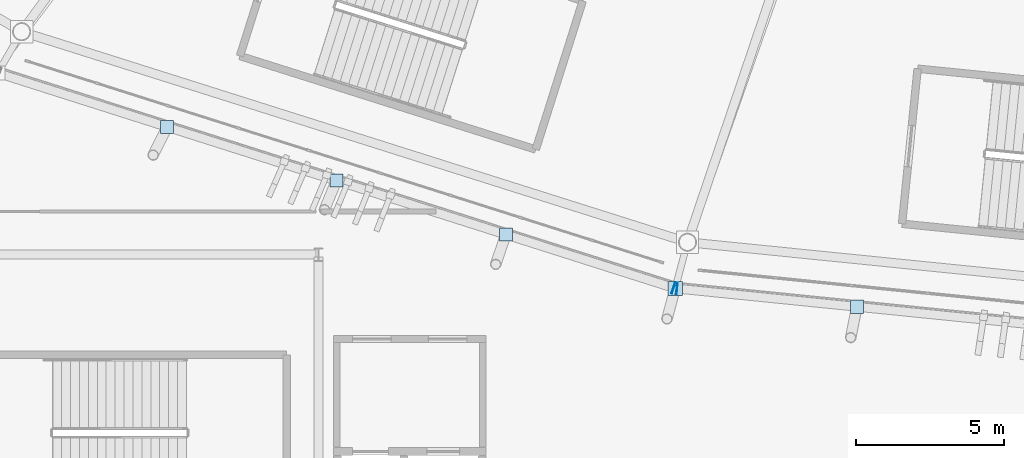
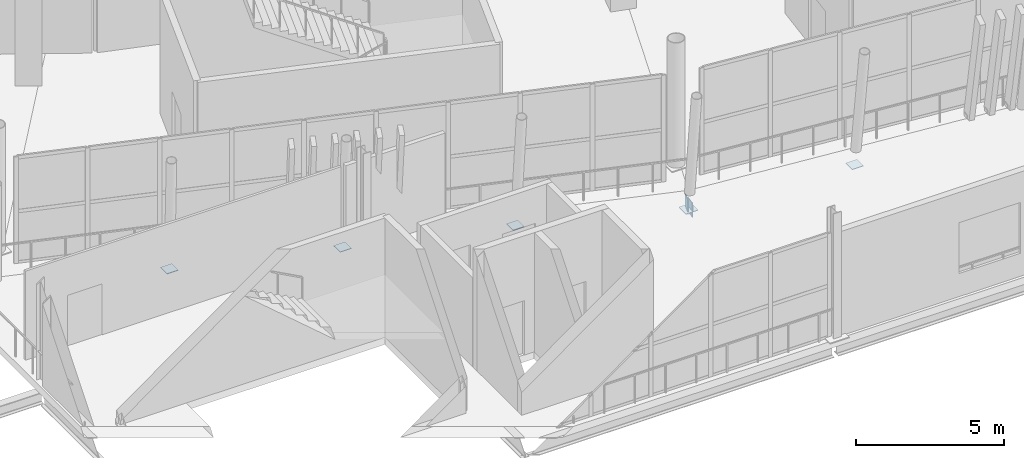
# One storey, part 105 of 178: 7 plates.
"""IFC4 building model written with IfcOpenShell, lengths in metres."""

from ifc_helpers import new_model, si_unit, direction, frame, origin, origin_2d, place, context, subcontext, project, spatial, rectangle, extrude, material, layer, layer_set, type_object, element, save


model = new_model("IFC4")

# Units and contexts
model_context = context("Model", 3, precision=1e-05, world=origin(), true_north=direction((0.0, 1.0)))
body_context = subcontext(model_context, "Body", "Model", "MODEL_VIEW")
ifc_project = project(units=[si_unit("LENGTHUNIT", "METRE"), si_unit("AREAUNIT", "SQUARE_METRE"), si_unit("VOLUMEUNIT", "CUBIC_METRE"), si_unit("PLANEANGLEUNIT", "RADIAN"), si_unit("MASSUNIT", "GRAM", prefix="KILO")], contexts=[model_context])

# Site, building, storey
site_placement = place(None, origin())
site = spatial("IfcSite", under=ifc_project, at=site_placement, CompositionType="ELEMENT")
building_placement = place(site_placement, origin())
building = spatial("IfcBuilding", under=site, at=building_placement, Name="Zlatoyarsky Gate Stadium", CompositionType="ELEMENT")
storey_placement = place(building_placement, frame((0.0, 0.0, 5.39990234375)))
storey = spatial("IfcBuildingStorey", under=building, at=storey_placement, Name="L01", CompositionType="ELEMENT", Elevation=5.39990234375)

# Plates
ifc_material = material(Name="Steel S355", Category="steel")
ifc_layer = layer(ifc_material, 0.02392578125)
ifc_layer_set = layer_set([ifc_layer], Name="Steel S355")
plate_type = type_object("IfcPlateType", Name="STEEL HOLLOW CHORD SPLICE SHEET 24", PredefinedType="SHEET", material=ifc_layer_set)
for number, where, z_axis, x_axis, name in (
    (1, (86.456298828125, 9.8837890625, -0.849853515625), (0.0, 0.0, 1.0), (0.953005501853, -0.302952988826, 0.0), "Hollow end cap ND-SP1 CAP-L01-SPD-16 B"),
    (2, (86.5732421875, 9.859619140625, -1.010009765625), (0.0, 0.0, 1.0), (0.994934278996, -0.100527511058, 0.0), "Hollow end cap ND-SP1 CAP-L01-SPD-17 A"),
):
    element("IfcPlate", number, at=place(storey_placement, frame(where, z_axis=z_axis, x_axis=x_axis)), inside=storey, type_object=plate_type, Name=name, PredefinedType="SHEET", context=body_context, shape_type="SweptSolid", body=[
        extrude(rectangle(XDim=0.02392578125, YDim=0.39990234375, at=origin_2d()), origin(), (0.0, 0.0, 1.0), 0.60009765625),
    ])
plate_placement = place(storey_placement, frame((86.513427734375, 9.865478515625, -0.77197265625), z_axis=(0.0, 0.0, 1.0), x_axis=(1.0, 0.0, 0.0)))
element("IfcPlate", 3, at=plate_placement, inside=storey, type_object=plate_type, Name="Node closure plate ND-SP1 NCAP-L01-RSTR-17", PredefinedType="SHEET", context=body_context, shape_type="SweptSolid", body=[
    extrude(rectangle(XDim=0.47998046875, YDim=0.47998046875, at=origin_2d()), origin(), (0.0, 0.0, 1.0), 0.02392578125),
])
for number, where, z_axis, x_axis, name in (
    (4, (69.400146484375, 15.305908203125, -0.561767578125), (0.0, 0.0, 1.0), (1.0, 0.0, 0.0), "Node closure plate ND-SP1 NCAP-RIB-16-1-0B"),
    (5, (75.1044921875, 13.492431640625, -0.561767578125), (0.0, 0.0, 1.0), (1.0, 0.0, 0.0), "Node closure plate ND-SP1 NCAP-RIB-16-2-0B"),
    (6, (80.80908203125, 11.678955078125, -0.561767578125), (0.0, 0.0, 1.0), (1.0, 0.0, 0.0), "Node closure plate ND-SP1 NCAP-RIB-16-3-0B"),
    (7, (92.635009765625, 9.2470703125, -0.721923828125), (0.0, 0.0, 1.0), (1.0, 0.0, 0.0), "Node closure plate ND-SP1 NCAP-RIB-17-1-0B"),
):
    element("IfcPlate", number, at=place(storey_placement, frame(where, z_axis=z_axis, x_axis=x_axis)), inside=storey, type_object=plate_type, Name=name, PredefinedType="SHEET", context=body_context, shape_type="SweptSolid", body=[
        extrude(rectangle(XDim=0.43994140625, YDim=0.43994140625, at=origin_2d()), origin(), (0.0, 0.0, 1.0), 0.02392578125),
    ])

save(model, "model.ifc")
